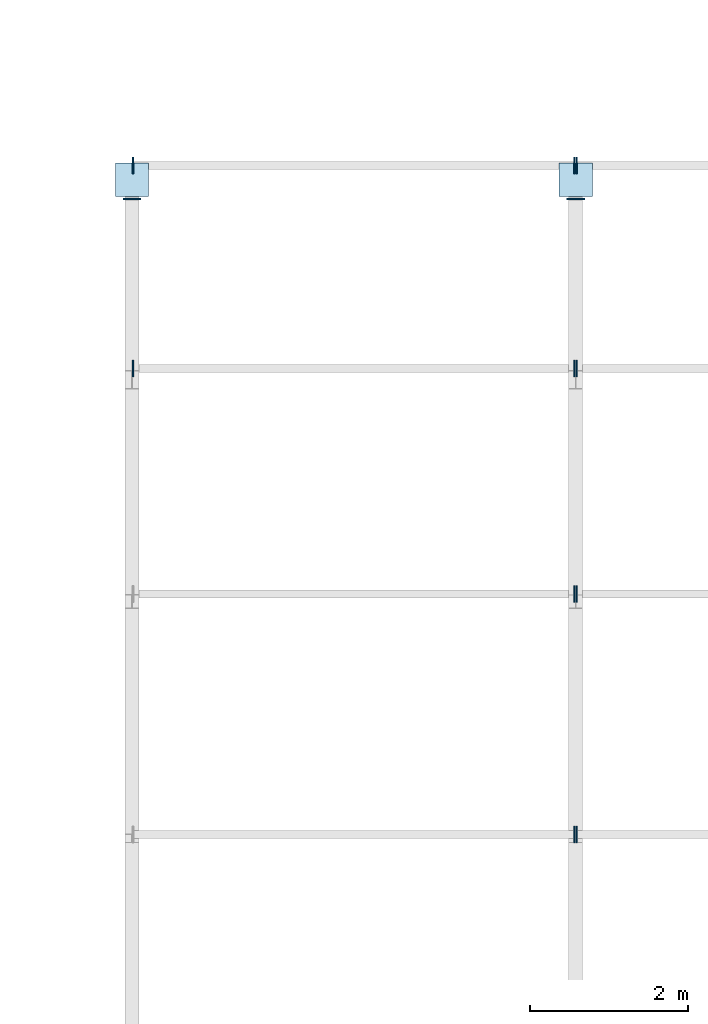
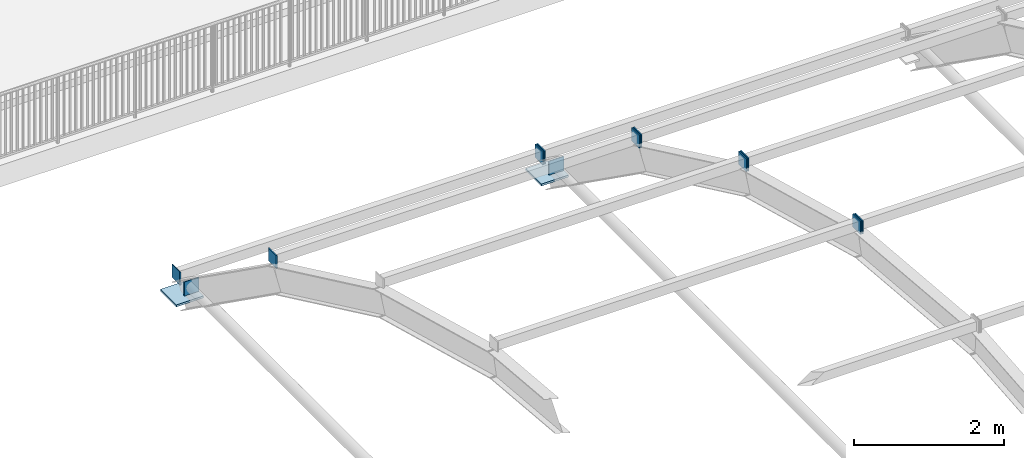
# One storey, part 48 of 79: 14 plates.
"""IFC4 building model written with IfcOpenShell, lengths in metres."""

from ifc_helpers import new_model, si_unit, direction, frame, origin, origin_2d, place, context, subcontext, project, spatial, rectangle, extrude, material, layer, layer_set, type_object, element, save


model = new_model("IFC4")

# Units and contexts
model_context = context("Model", 3, precision=1e-05, world=origin(), true_north=direction((0.0, 1.0)))
body_context = subcontext(model_context, "Body", "Model", "MODEL_VIEW")
ifc_project = project(units=[si_unit("LENGTHUNIT", "METRE"), si_unit("AREAUNIT", "SQUARE_METRE"), si_unit("VOLUMEUNIT", "CUBIC_METRE"), si_unit("PLANEANGLEUNIT", "RADIAN"), si_unit("MASSUNIT", "GRAM", prefix="KILO")], contexts=[model_context])

# Site, building, storey
site_placement = place(None, origin())
site = spatial("IfcSite", under=ifc_project, at=site_placement, CompositionType="ELEMENT")
building_placement = place(site_placement, origin())
building = spatial("IfcBuilding", under=site, at=building_placement, Name="Zantavel Square City Hall", CompositionType="ELEMENT")
storey_placement = place(building_placement, frame((0.0, 0.0, 10.199951171875)))
storey = spatial("IfcBuildingStorey", under=building, at=storey_placement, Name="L03", CompositionType="ELEMENT", Elevation=10.199951171875)

# Plates
ifc_material = material(Name="Steel ASTM A572 Grade 50", Category="steel")
ifc_layer_1 = layer(ifc_material, 0.01611328125, Name="Steel ASTM A572 Grade 50")
ifc_layer_set_1 = layer_set([ifc_layer_1], Name="Steel ASTM A572 Grade 50")
plate_type_1 = type_object("IfcPlateType", Name="CHS 168 End Cap Plate 16mm", PredefinedType="SHEET", material=ifc_layer_set_1)
for number, where, z_axis, x_axis, name in (
    (1, (125.60009765625, 64.35595703125, 0.16748046875), (0.0, 0.0, 1.0), (0.0, 1.0, 0.0), "Skylight Rib 1 Tie End Cap 2"),
    (2, (131.199951171875, 64.35595703125, 0.16748046875), (0.0, 0.0, 1.0), (0.0, 1.0, 0.0), "Skylight Rib 2 Tie End Cap 2"),
):
    element("IfcPlate", number, at=place(storey_placement, frame(where, z_axis=z_axis, x_axis=x_axis)), inside=storey, type_object=plate_type_1, Name=name, PredefinedType="SHEET", context=body_context, shape_type="SweptSolid", body=[
        extrude(rectangle(XDim=0.01611328125, YDim=0.22509765625, at=origin_2d()), origin(), (0.0, 0.0, 1.0), 0.22509765625),
    ])
ifc_layer_2 = layer(ifc_material, 0.01611328125, Name="Steel ASTM A572 Grade 50")
ifc_layer_set_2 = layer_set([ifc_layer_2], Name="Steel ASTM A572 Grade 50")
plate_type_2 = type_object("IfcPlateType", Name="HSS 152x102 End Cap Plate 16mm", PredefinedType="SHEET", material=ifc_layer_set_2)
for number, where, z_axis, x_axis, name in (
    (3, (131.18603515625, 56.333740234375, 4.0947265625), (0.0, 0.0, 1.0), (1.0, 0.0, 0.0), "Skylight Bay 1 Purlin 6 End Cap 2"),
    (4, (131.18603515625, 59.370361328125, 3.271484375), (0.0, 0.0, 1.0), (1.0, 0.0, 0.0), "Skylight Bay 1 Purlin 7 End Cap 2"),
    (5, (125.614013671875, 62.215087890625, 1.927978515625), (0.0, 0.0, 1.0), (1.0, 0.0, 0.0), "Skylight Bay 1 Purlin 8 End Cap 1"),
    (6, (131.18603515625, 62.215087890625, 1.927978515625), (0.0, 0.0, 1.0), (1.0, 0.0, 0.0), "Skylight Bay 1 Purlin 8 End Cap 2"),
    (7, (125.614013671875, 64.77978515625, 0.10595703125), (0.0, 0.0, 1.0), (1.0, 0.0, 0.0), "Skylight Bay 1 Purlin 9 End Cap 1"),
    (8, (131.18603515625, 64.77978515625, 0.10595703125), (0.0, 0.0, 1.0), (1.0, 0.0, 0.0), "Skylight Bay 1 Purlin 9 End Cap 2"),
    (9, (131.214111328125, 56.333740234375, 4.0947265625), (0.0, 0.0, 1.0), (1.0, 0.0, 0.0), "Skylight Bay 2 Purlin 6 End Cap 1"),
    (10, (131.214111328125, 59.370361328125, 3.271484375), (0.0, 0.0, 1.0), (1.0, 0.0, 0.0), "Skylight Bay 2 Purlin 7 End Cap 1"),
    (11, (131.214111328125, 62.215087890625, 1.927978515625), (0.0, 0.0, 1.0), (1.0, 0.0, 0.0), "Skylight Bay 2 Purlin 8 End Cap 1"),
    (12, (131.214111328125, 64.77978515625, 0.10595703125), (0.0, 0.0, 1.0), (1.0, 0.0, 0.0), "Skylight Bay 2 Purlin 9 End Cap 1"),
):
    element("IfcPlate", number, at=place(storey_placement, frame(where, z_axis=z_axis, x_axis=x_axis)), inside=storey, type_object=plate_type_2, Name=name, PredefinedType="SHEET", context=body_context, shape_type="SweptSolid", body=[
        extrude(rectangle(XDim=0.01611328125, YDim=0.2099609375, at=origin_2d()), origin(), (0.0, 0.0, 1.0), 0.2099609375),
    ])
ifc_layer_3 = layer(ifc_material, 0.031982421875, Name="Steel ASTM A572 Grade 50")
ifc_layer_set_3 = layer_set([ifc_layer_3], Name="Steel ASTM A572 Grade 50")
plate_type_3 = type_object("IfcPlateType", Name="Skylight Rib Base Plate 420x420x32", PredefinedType="SHEET", material=ifc_layer_set_3)
for number, where, z_axis, x_axis, name in (
    (13, (125.60009765625, 64.60009765625, 0.0), (0.0, 0.0, 1.0), (1.0, 0.0, 0.0), "Skylight Base Plate 1-N"),
    (14, (131.199951171875, 64.60009765625, 0.0), (0.0, 0.0, 1.0), (1.0, 0.0, 0.0), "Skylight Base Plate 2-N"),
):
    element("IfcPlate", number, at=place(storey_placement, frame(where, z_axis=z_axis, x_axis=x_axis)), inside=storey, type_object=plate_type_3, Name=name, PredefinedType="SHEET", context=body_context, shape_type="SweptSolid", body=[
        extrude(rectangle(XDim=0.419921875, YDim=0.419921875, at=origin_2d()), origin(), (0.0, 0.0, 1.0), 0.031982421875),
    ])

save(model, "model.ifc")
